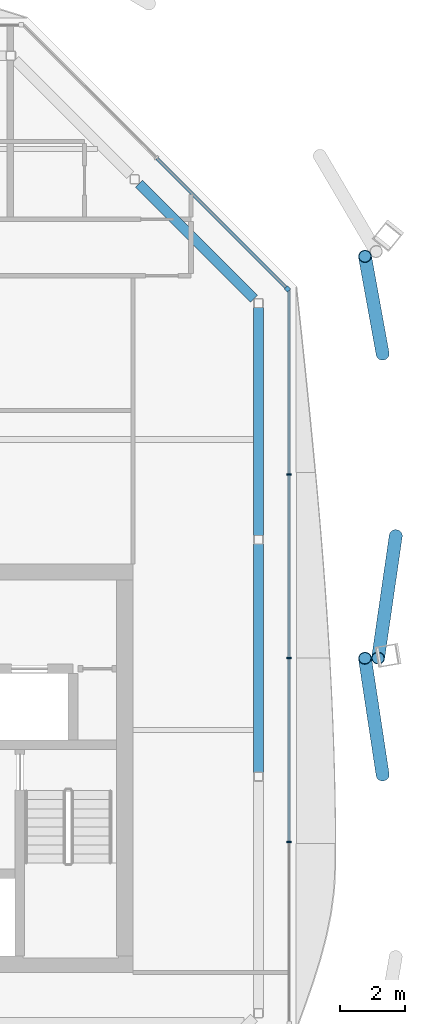
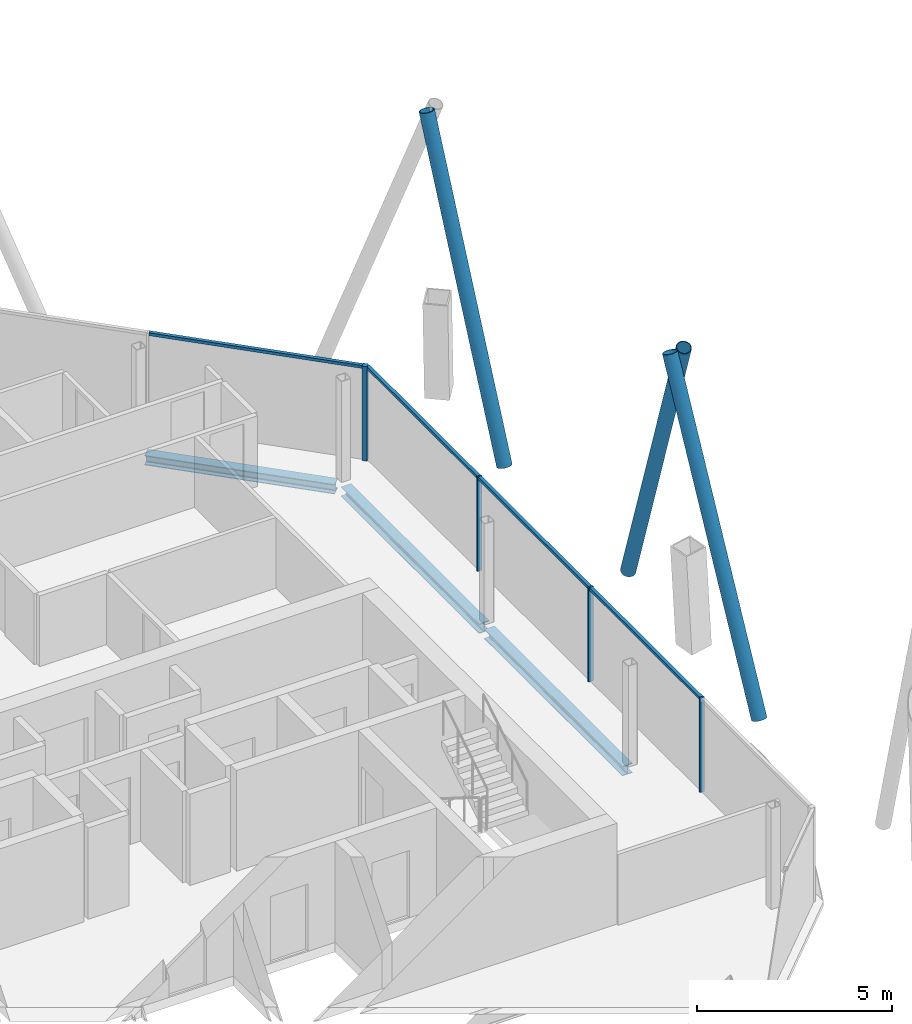
# One storey, part 7 of 16: 11 members, 3 beams, 2 elements without a shape of their own.
"""IFC4 building model written with IfcOpenShell, lengths in metres."""

from ifc_helpers import new_model, si_unit, direction, frame, origin, origin_2d, place, context, subcontext, project, spatial, rectangle, hollow_circle, i_section, extrude, material, material_profile, profile_set, type_object, element, aggregate, save


model = new_model("IFC4")

# Units and contexts
model_context = context("Model", 3, precision=1e-05, world=origin(), true_north=direction((0.0, 1.0)))
body_context = subcontext(model_context, "Body", "Model", "MODEL_VIEW")
ifc_project = project(units=[si_unit("LENGTHUNIT", "METRE"), si_unit("AREAUNIT", "SQUARE_METRE"), si_unit("VOLUMEUNIT", "CUBIC_METRE"), si_unit("PLANEANGLEUNIT", "RADIAN"), si_unit("MASSUNIT", "GRAM", prefix="KILO")], contexts=[model_context])

# Site, building, storey
site_placement = place(None, origin())
site = spatial("IfcSite", under=ifc_project, at=site_placement, CompositionType="ELEMENT")
building_placement = place(site_placement, origin())
building = spatial("IfcBuilding", under=site, at=building_placement, Name="Tskaro Facet Tower", CompositionType="ELEMENT")
storey_placement = place(building_placement, frame((0.0, 0.0, 245.550048828125)))
storey = spatial("IfcBuildingStorey", under=building, at=storey_placement, Name="L64", CompositionType="ELEMENT", Elevation=245.550048828125)

# Members
ifc_material_1 = material(Name="Steel S355J2H", Category="steel")
ifc_material_profile_1 = material_profile(ifc_material_1, hollow_circle(Radius=0.203125, WallThickness=0.02001953125, at=origin_2d()), Name="CHS 406.4x20")
ifc_profile_set_1 = profile_set([ifc_material_profile_1], Name="Steel S355J2H")
member_type_1 = type_object("IfcMemberType", Name="CHS 406.4x20 brace", PredefinedType="BRACE", material=ifc_profile_set_1)
member_1_placement = place(storey_placement, frame((17.23779296875, -5.88330078125, 0.0), z_axis=(-0.054097273062, 0.356535969811, 0.932714097287), x_axis=(-0.988683991318, -0.15001321712, 0.0)))
element("IfcMember", 1, at=member_1_placement, inside=storey, type_object=member_type_1, Name="CHS 406.4x20 XB04A/5", PredefinedType="BRACE", context=body_context, shape_type="SweptSolid", body=[
    extrude(hollow_circle(Radius=0.203125, WallThickness=0.02001953125, at=origin_2d()), origin(), (0.0, 0.0, 1.0), 10.131591796875),
])
member_2_placement = place(storey_placement, frame((17.23779296875, 7.15380859375, 0.0), z_axis=(-0.055159346948, 0.30415035896, 0.951025764945), x_axis=(-0.983949932711, -0.178444753125, 0.0)))
element("IfcMember", 2, at=member_2_placement, inside=storey, type_object=member_type_1, Name="CHS 406.4x20 XB05A/5", PredefinedType="BRACE", context=body_context, shape_type="SweptSolid", body=[
    extrude(hollow_circle(Radius=0.203125, WallThickness=0.02001953125, at=origin_2d()), origin(), (0.0, 0.0, 1.0), 9.9365234375),
])
member_3_placement = place(storey_placement, frame((17.644287109375, 1.520263671875, 0.0), z_axis=(-0.053751501851, -0.371807159127, 0.926752508748), x_axis=(0.989711015465, -0.143080766934, 0.0)))
element("IfcMember", 3, at=member_3_placement, inside=storey, type_object=member_type_1, Name="CHS 406.4x20 XB05B/5", PredefinedType="BRACE", context=body_context, shape_type="SweptSolid", body=[
    extrude(hollow_circle(Radius=0.203125, WallThickness=0.02001953125, at=origin_2d()), origin(), (0.0, 0.0, 1.0), 10.19677734375),
])

# Curtain wall, member
ifc_material_2 = material(Name="Bronze anodised aluminium 6063-T6", Category="aluminium")
curtain_wall_type = type_object("IfcCurtainWallType", Name="Bronze residence curtain wall (FW3)", PredefinedType="NOTDEFINED", material=ifc_material_2)
curtain_wall_1_placement = place(storey_placement, origin())
curtain_wall_1 = element("IfcCurtainWall", 4, at=curtain_wall_1_placement, inside=storey, type_object=curtain_wall_type, Name="FW3 north-east facet L64", PredefinedType="NOTDEFINED")
ifc_material_profile_2 = material_profile(ifc_material_2, rectangle(XDim=0.139892578125, YDim=0.139892578125, at=origin_2d()), Name="Corner post 140x140")
ifc_profile_set_2 = profile_set([ifc_material_profile_2], Name="Bronze anodised aluminium 6063-T6")
member_type_2 = type_object("IfcMemberType", Name="FW3 bronze corner post 140x140", PredefinedType="MULLION", material=ifc_profile_set_2)
member_4_placement = place(storey_placement, frame((14.29150390625, 9.16748046875, 0.0), z_axis=(0.0, 0.0, 1.0), x_axis=(-0.707106781187, 0.707106781187, 0.0)))
member_4 = element("IfcMember", 5, at=member_4_placement, type_object=member_type_2, Name="FW3 north-east corner post", PredefinedType="MULLION", context=body_context, shape_type="SweptSolid", body=[
    extrude(rectangle(XDim=0.139892578125, YDim=0.139892578125, at=origin_2d()), origin(), (0.0, 0.0, 1.0), 2.949951171875),
])

# Curtain wall, members
curtain_wall_2_placement = place(storey_placement, origin())
curtain_wall_2 = element("IfcCurtainWall", 6, at=curtain_wall_2_placement, inside=storey, type_object=curtain_wall_type, Name="FW3 east facet L64", PredefinedType="NOTDEFINED")
ifc_material_profile_3 = material_profile(ifc_material_2, rectangle(XDim=0.050048828125, YDim=0.139892578125, at=origin_2d()), Name="Mullion 50x140")
ifc_profile_set_3 = profile_set([ifc_material_profile_3], Name="Bronze anodised aluminium 6063-T6")
member_type_3 = type_object("IfcMemberType", Name="FW3 bronze mullion 50x140", PredefinedType="MULLION", material=ifc_profile_set_3)
member_5_placement = place(storey_placement, frame((14.341064453125, -7.96630859375, 0.0), z_axis=(0.0, 0.0, 1.0), x_axis=(0.0, 1.0, 0.0)))
member_5 = element("IfcMember", 7, at=member_5_placement, type_object=member_type_3, Name="FW3 east mullion 1", PredefinedType="MULLION", context=body_context, shape_type="SweptSolid", body=[
    extrude(rectangle(XDim=0.050048828125, YDim=0.139892578125, at=origin_2d()), origin(), (0.0, 0.0, 1.0), 2.949951171875),
])
member_6_placement = place(storey_placement, frame((14.341064453125, -2.271484375, 0.0), z_axis=(0.0, 0.0, 1.0), x_axis=(0.0, 1.0, 0.0)))
member_6 = element("IfcMember", 8, at=member_6_placement, type_object=member_type_3, Name="FW3 east mullion 2", PredefinedType="MULLION", context=body_context, shape_type="SweptSolid", body=[
    extrude(rectangle(XDim=0.050048828125, YDim=0.139892578125, at=origin_2d()), origin(), (0.0, 0.0, 1.0), 2.949951171875),
])
member_7_placement = place(storey_placement, frame((14.341064453125, 3.42333984375, 0.0), z_axis=(0.0, 0.0, 1.0), x_axis=(0.0, 1.0, 0.0)))
member_7 = element("IfcMember", 9, at=member_7_placement, type_object=member_type_3, Name="FW3 east mullion 3", PredefinedType="MULLION", context=body_context, shape_type="SweptSolid", body=[
    extrude(rectangle(XDim=0.050048828125, YDim=0.139892578125, at=origin_2d()), origin(), (0.0, 0.0, 1.0), 2.949951171875),
])
ifc_material_profile_4 = material_profile(ifc_material_2, rectangle(XDim=0.10009765625, YDim=0.090087890625, at=origin_2d()), Name="Transom 100x90")
ifc_profile_set_4 = profile_set([ifc_material_profile_4], Name="Bronze anodised aluminium 6063-T6")
member_type_4 = type_object("IfcMemberType", Name="FW3 bronze transom 100x90", PredefinedType="USERDEFINED", material=ifc_profile_set_4)
member_8_placement = place(storey_placement, frame((14.341064453125, -7.941162109375, 2.905029296875), z_axis=(0.0, 1.0, 0.0), x_axis=(-1.0, 0.0, 0.0)))
member_8 = element("IfcMember", 10, at=member_8_placement, type_object=member_type_4, Name="FW3 east transom 2.1", ObjectType="TRANSOM", PredefinedType="USERDEFINED", context=body_context, shape_type="SweptSolid", body=[
    extrude(rectangle(XDim=0.10009765625, YDim=0.090087890625, at=origin_2d()), origin(), (0.0, 0.0, 1.0), 5.644775390625),
])
member_9_placement = place(storey_placement, frame((14.341064453125, -2.24658203125, 2.905029296875), z_axis=(0.0, 1.0, 0.0), x_axis=(-1.0, 0.0, 0.0)))
member_9 = element("IfcMember", 11, at=member_9_placement, type_object=member_type_4, Name="FW3 east transom 3.1", ObjectType="TRANSOM", PredefinedType="USERDEFINED", context=body_context, shape_type="SweptSolid", body=[
    extrude(rectangle(XDim=0.10009765625, YDim=0.090087890625, at=origin_2d()), origin(), (0.0, 0.0, 1.0), 5.644775390625),
])
member_10_placement = place(storey_placement, frame((14.341064453125, 3.4482421875, 2.905029296875), z_axis=(0.0, 1.0, 0.0), x_axis=(-1.0, 0.0, 0.0)))
member_10 = element("IfcMember", 12, at=member_10_placement, type_object=member_type_4, Name="FW3 east transom 4.1", ObjectType="TRANSOM", PredefinedType="USERDEFINED", context=body_context, shape_type="SweptSolid", body=[
    extrude(rectangle(XDim=0.10009765625, YDim=0.090087890625, at=origin_2d()), origin(), (0.0, 0.0, 1.0), 5.669677734375),
])
aggregate(curtain_wall_2, [member_5, member_6, member_7, member_8, member_9, member_10])

# Member
member_11_placement = place(storey_placement, frame((14.241943359375, 9.217041015625, 2.905029296875), z_axis=(-0.707106781187, 0.707106781187, 0.0), x_axis=(-0.707106781187, -0.707106781187, 0.0)))
member_11 = element("IfcMember", 13, at=member_11_placement, type_object=member_type_4, Name="FW3 north-east transom 1.1", ObjectType="TRANSOM", PredefinedType="USERDEFINED", context=body_context, shape_type="SweptSolid", body=[
    extrude(rectangle(XDim=0.10009765625, YDim=0.090087890625, at=origin_2d()), origin(), (0.0, 0.0, 1.0), 5.649658203125),
])

aggregate(curtain_wall_1, [member_4, member_11])

# Beams
ifc_material_3 = material(Name="Steel S355J2", Category="steel")
ifc_material_profile_5 = material_profile(ifc_material_3, i_section(OverallWidth=0.300048828125, OverallDepth=0.300048828125, WebThickness=0.010986328125, FlangeThickness=0.01904296875, FilletRadius=0.027099609375, at=origin_2d()), Name="HE 300 B")
ifc_profile_set_5 = profile_set([ifc_material_profile_5], Name="Steel S355J2")
beam_type = type_object("IfcBeamType", Name="HE 300 B ring beam", PredefinedType="BEAM", material=ifc_profile_set_5)
beam_1_placement = place(storey_placement, frame((13.39111328125, -5.806884765625, -0.2900390625), z_axis=(0.0, 1.0, 0.0), x_axis=(-1.0, 0.0, 0.0)))
element("IfcBeam", 14, at=beam_1_placement, inside=storey, type_object=beam_type, Name="HE 300 B EB6-5", PredefinedType="BEAM", context=body_context, shape_type="SweptSolid", body=[
    extrude(i_section(OverallWidth=0.300048828125, OverallDepth=0.300048828125, WebThickness=0.010986328125, FlangeThickness=0.01904296875, FilletRadius=0.027099609375, at=origin_2d()), origin(), (0.0, 0.0, 1.0), 7.07080078125),
])
beam_2_placement = place(storey_placement, frame((13.39111328125, 1.52392578125, -0.2900390625), z_axis=(0.0, 1.0, 0.0), x_axis=(-1.0, 0.0, 0.0)))
element("IfcBeam", 15, at=beam_2_placement, inside=storey, type_object=beam_type, Name="HE 300 B EB7-5", PredefinedType="BEAM", context=body_context, shape_type="SweptSolid", body=[
    extrude(i_section(OverallWidth=0.300048828125, OverallDepth=0.300048828125, WebThickness=0.010986328125, FlangeThickness=0.01904296875, FilletRadius=0.027099609375, at=origin_2d()), origin(), (0.0, 0.0, 1.0), 7.071044921875),
])
beam_3_placement = place(storey_placement, frame((13.255126953125, 8.86083984375, -0.2900390625), z_axis=(-0.707106781187, 0.707106781187, 0.0), x_axis=(-0.707106781187, -0.707106781187, 0.0)))
element("IfcBeam", 16, at=beam_3_placement, inside=storey, type_object=beam_type, Name="HE 300 B EB8-5", PredefinedType="BEAM", context=body_context, shape_type="SweptSolid", body=[
    extrude(i_section(OverallWidth=0.300048828125, OverallDepth=0.300048828125, WebThickness=0.010986328125, FlangeThickness=0.01904296875, FilletRadius=0.027099609375, at=origin_2d()), origin(), (0.0, 0.0, 1.0), 5.036376953125),
])

save(model, "model.ifc")
